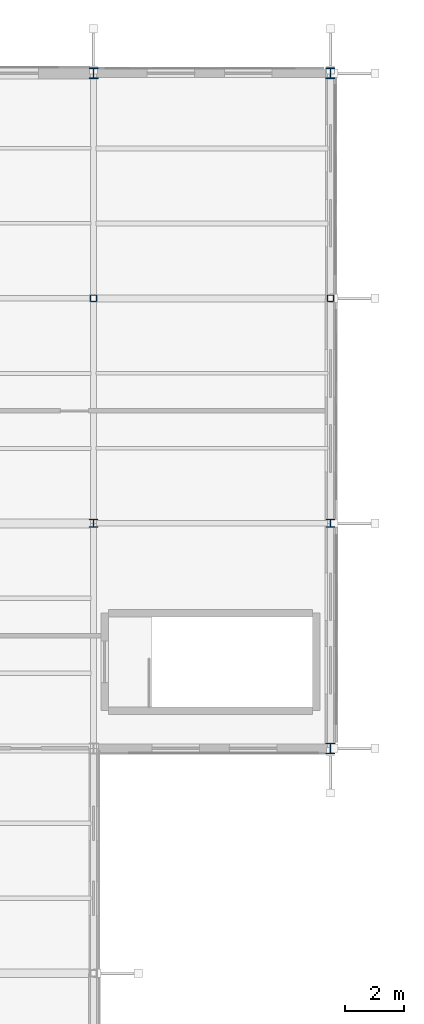
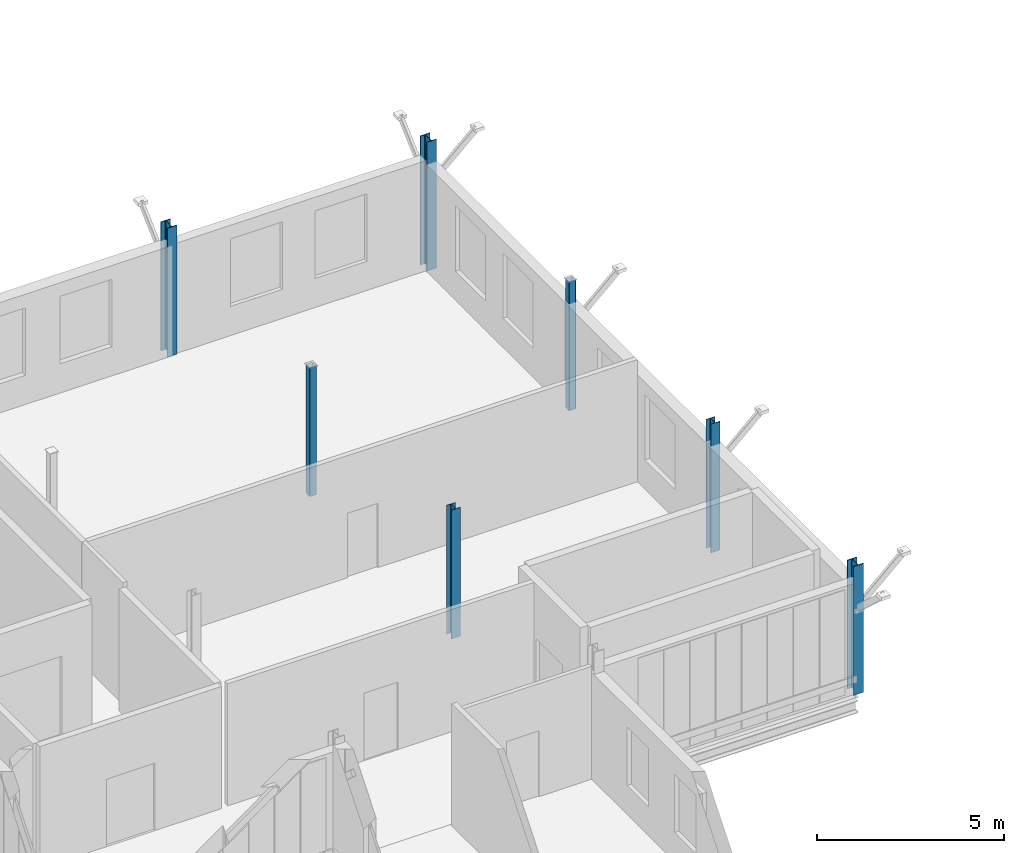
# One storey, part 10 of 101: 7 columns.
"""IFC4 building model written with IfcOpenShell, lengths in metres."""

import ifcopenshell
import ifcopenshell.guid

model = None  # the IFC model being written
_history = None  # IfcOwnerHistory: only IFC2X3 demands one
_inside = {}  # id of a spatial element -> (the spatial element, [elements in it])
_under = {}  # id of a project, library or spatial element -> (it, [spatial elements below it])
_declared = {}  # id of a project -> (the project, [libraries it declares])
_typed = {}  # id of a type object -> (the type object, [elements of that type])
_made_of = {}  # id of a material, layer set ... -> (it, [elements and type objects made of it])


def new_model(schema):
    """Start an empty IFC model of exactly this schema.

    Asked for "IFC4X3", IfcOpenShell would pick the latest addendum, in which some entities
    have other attributes; the version numbers below select the first issue.
    IFC2X3 requires an IfcOwnerHistory on every rooted entity: one is made here for all.
    """
    global model, _history
    if schema == "IFC4X3":
        model = ifcopenshell.file(schema_version=(4, 3, 0, 0))
    else:
        model = ifcopenshell.file(schema=schema)
    _inside.clear()
    _under.clear()
    _declared.clear()
    _typed.clear()
    _made_of.clear()
    _history = None
    if model.schema == "IFC2X3":
        org = make("IfcOrganization", Name="unknown")
        user = make(
            "IfcPersonAndOrganization",
            ThePerson=make("IfcPerson", FamilyName="unknown"),
            TheOrganization=org,
        )
        app = make(
            "IfcApplication",
            ApplicationDeveloper=org,
            Version="unknown",
            ApplicationFullName="unknown",
            ApplicationIdentifier="unknown",
        )
        _history = make(
            "IfcOwnerHistory",
            OwningUser=user,
            OwningApplication=app,
            ChangeAction="ADDED",
            CreationDate=0,
        )
    return model


def make(cls, **values):
    """One entity of the class cls with the attributes given. An attribute that is None is left unset."""
    return model.create_entity(
        cls, **{name: value for name, value in values.items() if value is not None}
    )


def rooted(cls, **values):
    """An entity with a GlobalId (a new one), such as an element, a storey or a relation."""
    return make(cls, GlobalId=ifcopenshell.guid.new(), OwnerHistory=_history, **values)


def si_unit(unit_type, name, prefix=None):
    """IfcSIUnit, for example si_unit("LENGTHUNIT", "METRE", prefix="MILLI")."""
    return make("IfcSIUnit", UnitType=unit_type, Prefix=prefix, Name=name)


def assignment(units):
    """IfcUnitAssignment: the units of a project."""
    return None if units is None else make("IfcUnitAssignment", Units=units)


def point(xyz):
    """IfcCartesianPoint."""
    return None if xyz is None else make("IfcCartesianPoint", Coordinates=xyz)


def direction(xyz):
    """IfcDirection."""
    return None if xyz is None else make("IfcDirection", DirectionRatios=xyz)


def frame(location, z_axis=None, x_axis=None):
    """IfcAxis2Placement3D, a coordinate frame: its origin and axes. An axis left out is left unset."""
    return make(
        "IfcAxis2Placement3D",
        Location=point(location),
        Axis=direction(z_axis),
        RefDirection=direction(x_axis),
    )


def frame_2d(location, x_axis=None):
    """IfcAxis2Placement2D, a coordinate frame in the plane: its origin and x axis."""
    return make(
        "IfcAxis2Placement2D", Location=point(location), RefDirection=direction(x_axis)
    )


def origin():
    """The frame at (0, 0, 0) with its axes left unset."""
    return frame((0.0, 0.0, 0.0))


def origin_2d():
    """The frame at (0, 0) in the plane with its x axis left unset."""
    return frame_2d((0.0, 0.0))


def place(relative_to, where):
    """IfcLocalPlacement: puts the frame where relative to a parent placement (None: the world)."""
    return make(
        "IfcLocalPlacement", PlacementRelTo=relative_to, RelativePlacement=where
    )


def context(
    kind, dimensions, precision=None, world=None, true_north=None, identifier=None
):
    """IfcGeometricRepresentationContext, for example the 3D "Model" context."""
    return make(
        "IfcGeometricRepresentationContext",
        ContextIdentifier=identifier,
        ContextType=kind,
        CoordinateSpaceDimension=dimensions,
        Precision=precision,
        WorldCoordinateSystem=world,
        TrueNorth=true_north,
    )


def subcontext(parent, identifier, kind, view, scale=None):
    """IfcGeometricRepresentationSubContext, for example "Body" below "Model"."""
    return make(
        "IfcGeometricRepresentationSubContext",
        ContextIdentifier=identifier,
        ContextType=kind,
        ParentContext=parent,
        TargetScale=scale,
        TargetView=view,
    )


def project(units=None, contexts=None):
    """IfcProject with its units and contexts."""
    return rooted(
        "IfcProject",
        Name="project",
        RepresentationContexts=contexts,
        UnitsInContext=assignment(units),
    )


def spatial(cls, under=None, at=None, **own):
    """A site, building, storey or space (cls), placed at a placement, below another one or the project."""
    s = rooted(cls, ObjectPlacement=at, **own)
    if under is not None:
        _under.setdefault(under.id(), (under, []))[1].append(s)
    return s


def profile(cls, at=None, kind="AREA", **sizes):
    """A parametric profile (cls). Its sizes go by their IFC names, for example OverallWidth=200.0."""
    return make(cls, ProfileType=kind, Position=at, **sizes)


def hollow_rectangle(**sizes):
    """IfcRectangleHollowProfileDef."""
    return profile("IfcRectangleHollowProfileDef", **sizes)


def i_section(**sizes):
    """IfcIShapeProfileDef."""
    return profile("IfcIShapeProfileDef", **sizes)


def extrude(swept, where, along, depth):
    """IfcExtrudedAreaSolid: the profile swept, set in the frame where, extruded along a direction by depth."""
    return make(
        "IfcExtrudedAreaSolid",
        SweptArea=swept,
        Position=where,
        ExtrudedDirection=direction(along),
        Depth=depth,
    )


def shape(context_of_items, identifier, shape_type, items):
    """IfcShapeRepresentation: the items that make up one representation, for example the "Body"."""
    return make(
        "IfcShapeRepresentation",
        ContextOfItems=context_of_items,
        RepresentationIdentifier=identifier,
        RepresentationType=shape_type,
        Items=items,
    )


def material(Name=None, Category=None):
    """IfcMaterial."""
    return make("IfcMaterial", Name=Name, Category=Category)


def material_profile(
    of_material, cross_section, Name=None, Category=None, Priority=None
):
    """IfcMaterialProfile: a cross section and its material."""
    return make(
        "IfcMaterialProfile",
        Name=Name,
        Material=of_material,
        Profile=cross_section,
        Priority=Priority,
        Category=Category,
    )


def profile_set(profiles, Name=None, composite=None):
    """IfcMaterialProfileSet."""
    return make(
        "IfcMaterialProfileSet",
        Name=Name,
        MaterialProfiles=profiles,
        CompositeProfile=composite,
    )


def made_of(thing, what):
    """Note that an element or type object is made of a material, layer set ...; save() writes the relation."""
    if what is not None:
        _made_of.setdefault(what.id(), (what, []))[1].append(thing)
    return thing


def type_object(cls, material=None, **own):
    """A type object (cls), such as IfcWallType, which elements share."""
    return made_of(rooted(cls, **own), material)


def element(
    cls,
    number,
    at=None,
    inside=None,
    cuts=None,
    type_object=None,
    material=None,
    context=None,
    identifier="Body",
    shape_type=None,
    held_by="IfcProductDefinitionShape",
    body=None,
    shapes=None,
    **own,
):
    """One element of the class cls, such as IfcWall. Its Tag is "e" and its number.

    at: its placement. inside: the storey or other place that contains it. cuts: it is an
    opening in that element (IfcRelVoidsElement). A single representation is given by context,
    identifier, shape_type and body (its items); several are given by shapes. held_by: the class
    of the entity that holds the representations. save() writes the other relations.
    """
    e = rooted(cls, Tag="e%d" % number, ObjectPlacement=at, **own)
    if body is not None:
        shapes = [shape(context, identifier, shape_type, body)]
    if shapes is not None:
        e.Representation = make(held_by, Representations=shapes)
    if inside is not None:
        _inside.setdefault(inside.id(), (inside, []))[1].append(e)
    if cuts is not None:
        rooted(
            "IfcRelVoidsElement", RelatingBuildingElement=cuts, RelatedOpeningElement=e
        )
    if type_object is not None:
        _typed.setdefault(type_object.id(), (type_object, []))[1].append(e)
    return made_of(e, material)


def aggregate(whole, parts):
    """IfcRelAggregates: a whole, such as a stair, and the parts it consists of."""
    return rooted("IfcRelAggregates", RelatingObject=whole, RelatedObjects=parts)


def save(model, path):
    """Write the relations noted so far, then the file.

    IfcRelAggregates (storeys below a building ...), IfcRelContainedInSpatialStructure (elements
    in a storey), IfcRelDefinesByType, IfcRelAssociatesMaterial and IfcRelDeclares: one each for
    every whole, place, type object, material and project.
    """
    for whole, parts in _under.values():
        aggregate(whole, parts)
    for where, things in _inside.values():
        rooted(
            "IfcRelContainedInSpatialStructure",
            RelatedElements=things,
            RelatingStructure=where,
        )
    for kind, things in _typed.values():
        rooted("IfcRelDefinesByType", RelatedObjects=things, RelatingType=kind)
    for what, things in _made_of.values():
        rooted("IfcRelAssociatesMaterial", RelatedObjects=things, RelatingMaterial=what)
    for by, libraries in _declared.values():
        rooted("IfcRelDeclares", RelatingContext=by, RelatedDefinitions=libraries)
    model.write(path)


model = new_model("IFC4")

# Units and contexts
model_context = context("Model", 3, precision=1e-05, world=origin(), true_north=direction((0.0, 1.0)))
body_context = subcontext(model_context, "Body", "Model", "MODEL_VIEW")
ifc_project = project(units=[si_unit("LENGTHUNIT", "METRE"), si_unit("AREAUNIT", "SQUARE_METRE"), si_unit("VOLUMEUNIT", "CUBIC_METRE"), si_unit("PLANEANGLEUNIT", "RADIAN"), si_unit("MASSUNIT", "GRAM", prefix="KILO")], contexts=[model_context])

# Site, building, storey
site_placement = place(None, origin())
site = spatial("IfcSite", under=ifc_project, at=site_placement, CompositionType="ELEMENT")
building_placement = place(site_placement, origin())
building = spatial("IfcBuilding", under=site, at=building_placement, Name="Vekula Escarpment Museum", CompositionType="ELEMENT")
storey_placement = place(building_placement, frame((0.0, 0.0, 18.0)))
storey = spatial("IfcBuildingStorey", under=building, at=storey_placement, Name="L04", CompositionType="ELEMENT", Elevation=18.0)

# Columns
ifc_material_1 = material(Name="Steel S355", Category="steel")
ifc_material_profile_1 = material_profile(ifc_material_1, i_section(OverallWidth=0.280029296875, OverallDepth=0.27001953125, WebThickness=0.008056640625, FlangeThickness=0.012939453125, FilletRadius=0.02392578125, at=origin_2d()), Name="HEA 280")
ifc_profile_set_1 = profile_set([ifc_material_profile_1], Name="Steel S355")
column_type_1 = type_object("IfcColumnType", Name="COL-S-HEA280", PredefinedType="COLUMN", material=ifc_profile_set_1)
for number, where, z_axis, x_axis, name in (
    (1, (48.0, 120.800048828125, 0.0), (0.0, 0.0, 1.0), (1.0, 0.0, 0.0), "Column L04 (48.0,120.8)"),
    (2, (56.0, 120.800048828125, 0.0), (0.0, 0.0, 1.0), (1.0, 0.0, 0.0), "Column L04 (56.0,120.8)"),
):
    element("IfcColumn", number, at=place(storey_placement, frame(where, z_axis=z_axis, x_axis=x_axis)), inside=storey, type_object=column_type_1, Name=name, PredefinedType="COLUMN", context=body_context, shape_type="SweptSolid", body=[
        extrude(i_section(OverallWidth=0.280029296875, OverallDepth=0.27001953125, WebThickness=0.008056640625, FlangeThickness=0.012939453125, FilletRadius=0.02392578125, at=origin_2d()), origin(), (0.0, 0.0, 1.0), 4.199951171875),
    ])
ifc_material_2 = material(Name="Steel S355", Category="steel")
ifc_material_profile_2 = material_profile(ifc_material_2, i_section(OverallWidth=0.300048828125, OverallDepth=0.360107421875, WebThickness=0.012451171875, FlangeThickness=0.0224609375, FilletRadius=0.027099609375, at=origin_2d()), Name="HEB 360")
ifc_profile_set_2 = profile_set([ifc_material_profile_2], Name="Steel S355")
column_type_2 = type_object("IfcColumnType", Name="COL-S-HEB360", PredefinedType="COLUMN", material=ifc_profile_set_2)
for number, where, z_axis, x_axis, name in (
    (3, (48.0, 136.0, 0.0), (0.0, 0.0, 1.0), (1.0, 0.0, 0.0), "Column L04 (48.0,136.0)"),
    (4, (56.0, 113.199951171875, 0.0), (0.0, 0.0, 1.0), (1.0, 0.0, 0.0), "Column L04 (56.0,113.2)"),
    (5, (56.0, 136.0, 0.0), (0.0, 0.0, 1.0), (1.0, 0.0, 0.0), "Column L04 (56.0,136.0)"),
):
    element("IfcColumn", number, at=place(storey_placement, frame(where, z_axis=z_axis, x_axis=x_axis)), inside=storey, type_object=column_type_2, Name=name, PredefinedType="COLUMN", context=body_context, shape_type="SweptSolid", body=[
        extrude(i_section(OverallWidth=0.300048828125, OverallDepth=0.360107421875, WebThickness=0.012451171875, FlangeThickness=0.0224609375, FilletRadius=0.027099609375, at=origin_2d()), origin(), (0.0, 0.0, 1.0), 4.199951171875),
    ])
ifc_material_3 = material(Name="Steel S355", Category="steel")
ifc_material_profile_3 = material_profile(ifc_material_3, hollow_rectangle(XDim=0.219970703125, YDim=0.219970703125, WallThickness=0.011962890625, InnerFilletRadius=0.011962890625, OuterFilletRadius=0.02392578125, at=origin_2d()), Name="SHS 220x220x12")
ifc_profile_set_3 = profile_set([ifc_material_profile_3], Name="Steel S355")
column_type_3 = type_object("IfcColumnType", Name="COL-S-SHS220", PredefinedType="COLUMN", material=ifc_profile_set_3)
for number, where, z_axis, x_axis, name in (
    (6, (48.0, 128.39990234375, 0.0), (0.0, 0.0, 1.0), (1.0, 0.0, 0.0), "Column L04 (48.0,128.4)"),
    (7, (56.0, 128.39990234375, 0.0), (0.0, 0.0, 1.0), (1.0, 0.0, 0.0), "Column L04 (56.0,128.4)"),
):
    element("IfcColumn", number, at=place(storey_placement, frame(where, z_axis=z_axis, x_axis=x_axis)), inside=storey, type_object=column_type_3, Name=name, PredefinedType="COLUMN", context=body_context, shape_type="SweptSolid", body=[
        extrude(hollow_rectangle(XDim=0.219970703125, YDim=0.219970703125, WallThickness=0.011962890625, InnerFilletRadius=0.011962890625, OuterFilletRadius=0.02392578125, at=origin_2d()), origin(), (0.0, 0.0, 1.0), 4.199951171875),
    ])

save(model, "model.ifc")
